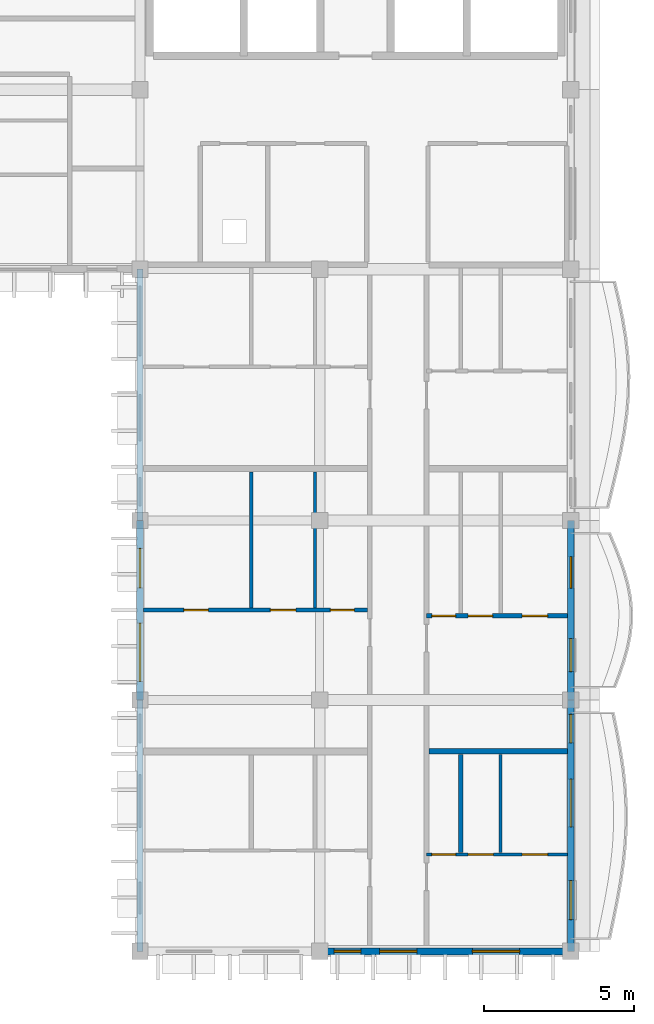
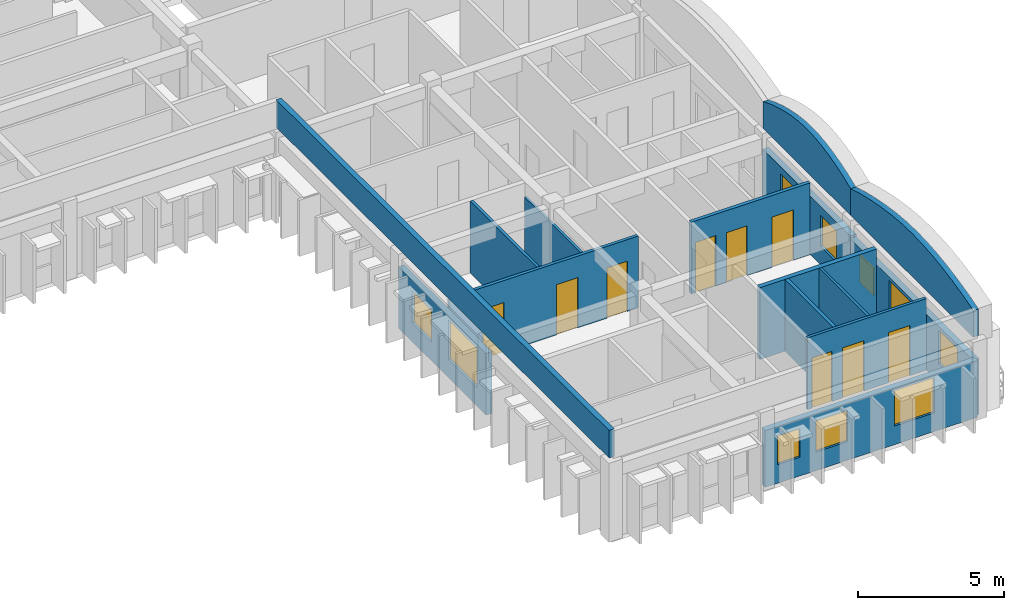
# One storey, part 14 of 28: 15 walls, 11 doors, 8 windows, 19 openings.
"""IFC4 building model written with IfcOpenShell, lengths in metres."""

from ifc_helpers import new_model, si_unit, direction, frame, frame_2d, origin, place, context, subcontext, project, spatial, polyline, rectangle, outline, extrude, material, layer, layer_set, type_object, element, fill, save


model = new_model("IFC4")

# Units and contexts
model_context = context("Model", 3, precision=1e-05, world=origin(), true_north=direction((0.0, 1.0)))
body_context = subcontext(model_context, "Body", "Model", "MODEL_VIEW")
ifc_project = project(units=[si_unit("LENGTHUNIT", "METRE"), si_unit("AREAUNIT", "SQUARE_METRE"), si_unit("VOLUMEUNIT", "CUBIC_METRE"), si_unit("PLANEANGLEUNIT", "RADIAN"), si_unit("MASSUNIT", "GRAM", prefix="KILO"), si_unit("THERMODYNAMICTEMPERATUREUNIT", "KELVIN")], contexts=[model_context])

# Site, building, storey
site_placement = place(None, origin())
site = spatial("IfcSite", under=ifc_project, at=site_placement, CompositionType="ELEMENT")
building_placement = place(site_placement, origin())
building = spatial("IfcBuilding", under=site, at=building_placement, Name="Thalorik Housing Commons", CompositionType="ELEMENT")
storey_placement = place(building_placement, frame((0.0, 0.0, 41.10009765625)))
storey = spatial("IfcBuildingStorey", under=building, at=storey_placement, Name="L12", CompositionType="ELEMENT", Elevation=41.10009765625)

# Wall, openings, windows
ifc_material_1 = material(Name="White precast concrete C40/50", Category="concrete")
ifc_layer_1 = layer(ifc_material_1, 0.235107421875, Name="White precast concrete C40/50", Category="concrete")
ifc_layer_set_1 = layer_set([ifc_layer_1], Name="White precast concrete C40/50")
wall_type_1 = type_object("IfcWallType", Name="ARC-WAL-EXT-235", PredefinedType="STANDARD", material=ifc_layer_set_1)
wall_1_placement = place(storey_placement, frame((152.39990234375, 100.800048828125, 0.0), z_axis=(0.0, 0.0, 1.0), x_axis=(0.0, -1.0, 0.0)))
wall_1 = element("IfcWall", 1, at=wall_1_placement, inside=storey, type_object=wall_type_1, Name="L12 Exterior Wall WAL-EXT-L12-B-0814", PredefinedType="STANDARD", context=body_context, shape_type="SweptSolid", body=[
    extrude(rectangle(XDim=6.0, YDim=0.235107421875, at=frame_2d((3.0, 0.0))), origin(), (0.0, 0.0, 1.0), 2.574951171875),
])
opening_1_placement = place(wall_1_placement, frame((0.9326171875, 0.0, 0.780029296875)))
opening_1 = element("IfcOpeningElement", 2, at=opening_1_placement, cuts=wall_1, Name="Opening W-48", PredefinedType="OPENING", context=body_context, shape_type="SweptSolid", body=[
    extrude(rectangle(XDim=1.320068359375, YDim=1.35009765625, at=frame_2d((0.66015625, 0.675048828125))), frame((0.0, 0.12744140625, 0.0), z_axis=(0.0, -1.0, 0.0), x_axis=(1.0, 0.0, 0.0)), (0.0, 0.0, 1.0), 0.255126953125),
])
opening_2_placement = place(wall_1_placement, frame((3.427490234375, 0.0, 0.780029296875)))
opening_2 = element("IfcOpeningElement", 3, at=opening_2_placement, cuts=wall_1, Name="Opening W-22", PredefinedType="OPENING", context=body_context, shape_type="SweptSolid", body=[
    extrude(rectangle(XDim=1.949951171875, YDim=1.64990234375, at=frame_2d((0.97509765625, 0.824951171875))), frame((0.0, 0.12744140625, 0.0), z_axis=(0.0, -1.0, 0.0), x_axis=(1.0, 0.0, 0.0)), (0.0, 0.0, 1.0), 0.255126953125),
])
ifc_material_2 = material(Name="Anodised aluminium and solar-control low-E glass", Category="aluminium")
window_type_1 = type_object("IfcWindowType", Name="ARC-WIN-22", PartitioningType="DOUBLE_PANEL_VERTICAL", PredefinedType="WINDOW", material=ifc_material_2)
window_1_placement = place(opening_2_placement, origin())
window_1 = element("IfcWindow", 4, at=window_1_placement, inside=storey, type_object=window_type_1, Name="L12 Facade Window 1505", OverallHeight=1.64990234375, OverallWidth=1.949951171875, PartitioningType="DOUBLE_PANEL_VERTICAL", PredefinedType="WINDOW", context=body_context, shape_type="SweptSolid", body=[
    extrude(rectangle(XDim=1.949951171875, YDim=1.64990234375, at=frame_2d((0.97509765625, 0.824951171875))), frame((0.0, 0.030029296875, 0.0), z_axis=(0.0, -1.0, 0.0), x_axis=(1.0, 0.0, 0.0)), (0.0, 0.0, 1.0), 0.06005859375),
])
fill(opening_2, window_1)
window_type_2 = type_object("IfcWindowType", Name="ARC-WIN-48", PartitioningType="SINGLE_PANEL", PredefinedType="WINDOW", material=ifc_material_2)
window_2_placement = place(opening_1_placement, origin())
window_2 = element("IfcWindow", 5, at=window_2_placement, inside=storey, type_object=window_type_2, Name="L12 Facade Window 1504", OverallHeight=1.35009765625, OverallWidth=1.320068359375, PartitioningType="SINGLE_PANEL", PredefinedType="WINDOW", context=body_context, shape_type="SweptSolid", body=[
    extrude(rectangle(XDim=1.320068359375, YDim=1.35009765625, at=frame_2d((0.66015625, 0.675048828125))), frame((0.0, 0.030029296875, 0.0), z_axis=(0.0, -1.0, 0.0), x_axis=(1.0, 0.0, 0.0)), (0.0, 0.0, 1.0), 0.06005859375),
])
fill(opening_1, window_2)

wall_2_placement = place(storey_placement, frame((158.39990234375, 86.39990234375, 0.0), z_axis=(0.0, 0.0, 1.0), x_axis=(1.0, 0.0, 0.0)))
wall_2 = element("IfcWall", 6, at=wall_2_placement, inside=storey, type_object=wall_type_1, Name="L12 Exterior Wall WAL-EXT-L12-B-0817", PredefinedType="STANDARD", context=body_context, shape_type="SweptSolid", body=[
    extrude(rectangle(XDim=8.400146484375, YDim=0.235107421875, at=frame_2d((4.2001953125, 0.0))), origin(), (0.0, 0.0, 1.0), 2.375),
])
opening_3_placement = place(wall_2_placement, frame((0.485107421875, 0.0, 0.780029296875)))
opening_3 = element("IfcOpeningElement", 7, at=opening_3_placement, cuts=wall_2, Name="Opening W-01", PredefinedType="OPENING", context=body_context, shape_type="SweptSolid", body=[
    extrude(rectangle(XDim=0.89990234375, YDim=1.199951171875, at=frame_2d((0.449951171875, 0.60009765625))), frame((0.0, 0.12744140625, 0.0), z_axis=(0.0, -1.0, 0.0), x_axis=(1.0, 0.0, 0.0)), (0.0, 0.0, 1.0), 0.255126953125),
])
opening_4_placement = place(wall_2_placement, frame((2.0048828125, 0.0, 0.780029296875)))
opening_4 = element("IfcOpeningElement", 8, at=opening_4_placement, cuts=wall_2, Name="Opening W-46", PredefinedType="OPENING", context=body_context, shape_type="SweptSolid", body=[
    extrude(rectangle(XDim=1.25, YDim=1.300048828125, at=frame_2d((0.625, 0.64990234375))), frame((0.0, 0.12744140625, 0.0), z_axis=(0.0, -1.0, 0.0), x_axis=(1.0, 0.0, 0.0)), (0.0, 0.0, 1.0), 0.255126953125),
])
opening_5_placement = place(wall_2_placement, frame((5.10498046875, 0.0, 0.780029296875)))
opening_5 = element("IfcOpeningElement", 9, at=opening_5_placement, cuts=wall_2, Name="Opening W-53", PredefinedType="OPENING", context=body_context, shape_type="SweptSolid", body=[
    extrude(rectangle(XDim=1.580078125, YDim=1.47998046875, at=frame_2d((0.7900390625, 0.739990234375))), frame((0.0, 0.12744140625, 0.0), z_axis=(0.0, -1.0, 0.0), x_axis=(1.0, 0.0, 0.0)), (0.0, 0.0, 1.0), 0.255126953125),
])
window_type_3 = type_object("IfcWindowType", Name="ARC-WIN-01", PartitioningType="SINGLE_PANEL", PredefinedType="WINDOW", material=ifc_material_2)
window_3_placement = place(opening_3_placement, origin())
window_3 = element("IfcWindow", 10, at=window_3_placement, inside=storey, type_object=window_type_3, Name="L12 Facade Window 1511", OverallHeight=1.199951171875, OverallWidth=0.89990234375, PartitioningType="SINGLE_PANEL", PredefinedType="WINDOW", context=body_context, shape_type="SweptSolid", body=[
    extrude(rectangle(XDim=0.89990234375, YDim=1.199951171875, at=frame_2d((0.449951171875, 0.60009765625))), frame((0.0, 0.030029296875, 0.0), z_axis=(0.0, -1.0, 0.0), x_axis=(1.0, 0.0, 0.0)), (0.0, 0.0, 1.0), 0.06005859375),
])
fill(opening_3, window_3)
window_type_4 = type_object("IfcWindowType", Name="ARC-WIN-46", PartitioningType="SINGLE_PANEL", PredefinedType="WINDOW", material=ifc_material_2)
window_4_placement = place(opening_4_placement, origin())
window_4 = element("IfcWindow", 11, at=window_4_placement, inside=storey, type_object=window_type_4, Name="L12 Facade Window 1512", OverallHeight=1.300048828125, OverallWidth=1.25, PartitioningType="SINGLE_PANEL", PredefinedType="WINDOW", context=body_context, shape_type="SweptSolid", body=[
    extrude(rectangle(XDim=1.25, YDim=1.300048828125, at=frame_2d((0.625, 0.64990234375))), frame((0.0, 0.030029296875, 0.0), z_axis=(0.0, -1.0, 0.0), x_axis=(1.0, 0.0, 0.0)), (0.0, 0.0, 1.0), 0.06005859375),
])
fill(opening_4, window_4)
window_type_5 = type_object("IfcWindowType", Name="ARC-WIN-53", PartitioningType="SINGLE_PANEL", PredefinedType="WINDOW", material=ifc_material_2)
window_5_placement = place(opening_5_placement, origin())
window_5 = element("IfcWindow", 12, at=window_5_placement, inside=storey, type_object=window_type_5, Name="L12 Facade Window 1513", OverallHeight=1.47998046875, OverallWidth=1.580078125, PartitioningType="SINGLE_PANEL", PredefinedType="WINDOW", context=body_context, shape_type="SweptSolid", body=[
    extrude(rectangle(XDim=1.580078125, YDim=1.47998046875, at=frame_2d((0.7900390625, 0.739990234375))), frame((0.0, 0.030029296875, 0.0), z_axis=(0.0, -1.0, 0.0), x_axis=(1.0, 0.0, 0.0)), (0.0, 0.0, 1.0), 0.06005859375),
])
fill(opening_5, window_5)

# Wall, openings, door, windows
wall_3_placement = place(storey_placement, frame((166.800048828125, 86.39990234375, 0.0), z_axis=(0.0, 0.0, 1.0), x_axis=(0.0, 1.0, 0.0)))
wall_3 = element("IfcWall", 13, at=wall_3_placement, inside=storey, type_object=wall_type_1, Name="L12 Exterior Wall WAL-EXT-L12-B-0818", PredefinedType="STANDARD", context=body_context, shape_type="SweptSolid", body=[
    extrude(rectangle(XDim=8.400146484375, YDim=0.235107421875, at=frame_2d((4.2001953125, 0.0))), origin(), (0.0, 0.0, 1.0), 2.344970703125),
])
opening_6_placement = place(wall_3_placement, frame((4.15869140625, 0.0, 0.0)))
opening_6 = element("IfcOpeningElement", 14, at=opening_6_placement, cuts=wall_3, Name="Opening ED-0278", PredefinedType="OPENING", context=body_context, shape_type="SweptSolid", body=[
    extrude(rectangle(XDim=1.60009765625, YDim=2.199951171875, at=frame_2d((0.800048828125, 1.10009765625))), frame((0.0, 0.12744140625, 0.0), z_axis=(0.0, -1.0, 0.0), x_axis=(1.0, 0.0, 0.0)), (0.0, 0.0, 1.0), 0.255126953125),
])
opening_7_placement = place(wall_3_placement, frame((1.063720703125, 0.0, 0.780029296875)))
opening_7 = element("IfcOpeningElement", 15, at=opening_7_placement, cuts=wall_3, Name="Opening W-06", PredefinedType="OPENING", context=body_context, shape_type="SweptSolid", body=[
    extrude(rectangle(XDim=1.300048828125, YDim=1.39990234375, at=frame_2d((0.64990234375, 0.699951171875))), frame((0.0, 0.12744140625, 0.0), z_axis=(0.0, -1.0, 0.0), x_axis=(1.0, 0.0, 0.0)), (0.0, 0.0, 1.0), 0.255126953125),
])
opening_8_placement = place(wall_3_placement, frame((6.969970703125, 0.0, 0.780029296875)))
opening_8 = element("IfcOpeningElement", 16, at=opening_8_placement, cuts=wall_3, Name="Opening W-43", PredefinedType="OPENING", context=body_context, shape_type="SweptSolid", body=[
    extrude(rectangle(XDim=0.949951171875, YDim=1.14990234375, at=frame_2d((0.47509765625, 0.574951171875))), frame((0.0, 0.12744140625, 0.0), z_axis=(0.0, -1.0, 0.0), x_axis=(1.0, 0.0, 0.0)), (0.0, 0.0, 1.0), 0.255126953125),
])
ifc_material_3 = material(Name="Anodised aluminium and laminated safety glass", Category="aluminium")
door_type_1 = type_object("IfcDoorType", Name="ARC-DR-BAL-1600", OperationType="NOTDEFINED", PredefinedType="DOOR", material=ifc_material_3)
door_1_placement = place(opening_6_placement, frame((1.60009765625, 0.0, 0.0), z_axis=(0.0, 0.0, 1.0), x_axis=(-1.0, 0.0, 0.0)))
door_1 = element("IfcDoor", 17, at=door_1_placement, inside=storey, type_object=door_type_1, Name="L12 Block B Balcony Glazed Door", OperationType="SLIDING_TO_LEFT", OverallHeight=2.199951171875, OverallWidth=1.60009765625, PredefinedType="DOOR", context=body_context, shape_type="SweptSolid", body=[
    extrude(rectangle(XDim=1.60009765625, YDim=2.199951171875, at=frame_2d((0.800048828125, 1.10009765625))), frame((0.0, 0.02490234375, 0.0), z_axis=(0.0, -1.0, 0.0), x_axis=(1.0, 0.0, 0.0)), (0.0, 0.0, 1.0), 0.050048828125),
])
fill(opening_6, door_1)
window_type_6 = type_object("IfcWindowType", Name="ARC-WIN-06", PartitioningType="SINGLE_PANEL", PredefinedType="WINDOW", material=ifc_material_2)
window_6_placement = place(opening_7_placement, origin())
window_6 = element("IfcWindow", 18, at=window_6_placement, inside=storey, type_object=window_type_6, Name="L12 Facade Window 1514", OverallHeight=1.39990234375, OverallWidth=1.300048828125, PartitioningType="SINGLE_PANEL", PredefinedType="WINDOW", context=body_context, shape_type="SweptSolid", body=[
    extrude(rectangle(XDim=1.300048828125, YDim=1.39990234375, at=frame_2d((0.64990234375, 0.699951171875))), frame((0.0, 0.030029296875, 0.0), z_axis=(0.0, -1.0, 0.0), x_axis=(1.0, 0.0, 0.0)), (0.0, 0.0, 1.0), 0.06005859375),
])
fill(opening_7, window_6)
window_type_7 = type_object("IfcWindowType", Name="ARC-WIN-43", PartitioningType="SINGLE_PANEL", PredefinedType="WINDOW", material=ifc_material_2)
window_7_placement = place(opening_8_placement, origin())
window_7 = element("IfcWindow", 19, at=window_7_placement, inside=storey, type_object=window_type_7, Name="L12 Facade Window 1515", OverallHeight=1.14990234375, OverallWidth=0.949951171875, PartitioningType="SINGLE_PANEL", PredefinedType="WINDOW", context=body_context, shape_type="SweptSolid", body=[
    extrude(rectangle(XDim=0.949951171875, YDim=1.14990234375, at=frame_2d((0.47509765625, 0.574951171875))), frame((0.0, 0.030029296875, 0.0), z_axis=(0.0, -1.0, 0.0), x_axis=(1.0, 0.0, 0.0)), (0.0, 0.0, 1.0), 0.06005859375),
])
fill(opening_8, window_7)

# Wall, openings, door, window
wall_4_placement = place(storey_placement, frame((166.800048828125, 94.800048828125, 0.0), z_axis=(0.0, 0.0, 1.0), x_axis=(0.0, 1.0, 0.0)))
wall_4 = element("IfcWall", 20, at=wall_4_placement, inside=storey, type_object=wall_type_1, Name="L12 Exterior Wall WAL-EXT-L12-B-0819", PredefinedType="STANDARD", context=body_context, shape_type="SweptSolid", body=[
    extrude(rectangle(XDim=6.0, YDim=0.235107421875, at=frame_2d((3.0, 0.0))), origin(), (0.0, 0.0, 1.0), 2.44482421875),
])
opening_9_placement = place(wall_4_placement, frame((3.738037109375, 0.0, 0.0)))
opening_9 = element("IfcOpeningElement", 21, at=opening_9_placement, cuts=wall_4, Name="Opening ED-0279", PredefinedType="OPENING", context=body_context, shape_type="SweptSolid", body=[
    extrude(rectangle(XDim=1.050048828125, YDim=2.14990234375, at=frame_2d((0.52490234375, 1.074951171875))), frame((0.0, 0.12744140625, 0.0), z_axis=(0.0, -1.0, 0.0), x_axis=(1.0, 0.0, 0.0)), (0.0, 0.0, 1.0), 0.255126953125),
])
opening_10_placement = place(wall_4_placement, frame((0.952880859375, 0.0, 0.780029296875)))
opening_10 = element("IfcOpeningElement", 22, at=opening_10_placement, cuts=wall_4, Name="Opening W-03", PredefinedType="OPENING", context=body_context, shape_type="SweptSolid", body=[
    extrude(rectangle(XDim=1.10009765625, YDim=1.300048828125, at=frame_2d((0.550048828125, 0.64990234375))), frame((0.0, 0.12744140625, 0.0), z_axis=(0.0, -1.0, 0.0), x_axis=(1.0, 0.0, 0.0)), (0.0, 0.0, 1.0), 0.255126953125),
])
door_type_2 = type_object("IfcDoorType", Name="ARC-DR-BAL-1050", OperationType="NOTDEFINED", PredefinedType="DOOR", material=ifc_material_3)
door_2_placement = place(opening_9_placement, frame((1.050048828125, 0.0, 0.0), z_axis=(0.0, 0.0, 1.0), x_axis=(-1.0, 0.0, 0.0)))
door_2 = element("IfcDoor", 23, at=door_2_placement, inside=storey, type_object=door_type_2, Name="L12 Block B Balcony Glazed Door", OperationType="SINGLE_SWING_RIGHT", OverallHeight=2.14990234375, OverallWidth=1.050048828125, PredefinedType="DOOR", context=body_context, shape_type="SweptSolid", body=[
    extrude(rectangle(XDim=1.050048828125, YDim=2.14990234375, at=frame_2d((0.52490234375, 1.074951171875))), frame((0.0, 0.02490234375, 0.0), z_axis=(0.0, -1.0, 0.0), x_axis=(1.0, 0.0, 0.0)), (0.0, 0.0, 1.0), 0.050048828125),
])
fill(opening_9, door_2)
window_type_8 = type_object("IfcWindowType", Name="ARC-WIN-03", PartitioningType="SINGLE_PANEL", PredefinedType="WINDOW", material=ifc_material_2)
window_8_placement = place(opening_10_placement, origin())
window_8 = element("IfcWindow", 24, at=window_8_placement, inside=storey, type_object=window_type_8, Name="L12 Facade Window 1516", OverallHeight=1.300048828125, OverallWidth=1.10009765625, PartitioningType="SINGLE_PANEL", PredefinedType="WINDOW", context=body_context, shape_type="SweptSolid", body=[
    extrude(rectangle(XDim=1.10009765625, YDim=1.300048828125, at=frame_2d((0.550048828125, 0.64990234375))), frame((0.0, 0.030029296875, 0.0), z_axis=(0.0, -1.0, 0.0), x_axis=(1.0, 0.0, 0.0)), (0.0, 0.0, 1.0), 0.06005859375),
])
fill(opening_10, window_8)

# Walls
ifc_layer_2 = layer(ifc_material_1, 0.2099609375, Name="White precast concrete C40/50", Category="concrete")
ifc_layer_set_2 = layer_set([ifc_layer_2], Name="White precast concrete C40/50")
wall_type_2 = type_object("IfcWallType", Name="ARC-WAL-PAR-210", PredefinedType="PARAPET", material=ifc_layer_set_2)
wall_5_placement = place(storey_placement, frame((152.39990234375, 109.199951171875, 3.2998046875), z_axis=(0.0, 0.0, 1.0), x_axis=(0.0, -1.0, 0.0)))
element("IfcWall", 25, at=wall_5_placement, inside=storey, type_object=wall_type_2, Name="L12 Block B Roof Parapet 26", PredefinedType="PARAPET", context=body_context, shape_type="SweptSolid", body=[
    extrude(rectangle(XDim=22.800048828125, YDim=0.2099609375, at=frame_2d((11.39990234375, 0.0))), origin(), (0.0, 0.0, 1.0), 1.150146484375),
])
wall_6_placement = place(storey_placement, frame((166.800048828125, 86.39990234375, 3.2998046875), z_axis=(0.0, 0.0, 1.0), x_axis=(0.0, 1.0, 0.0)))
element("IfcWall", 26, at=wall_6_placement, inside=storey, type_object=wall_type_2, Name="L12 Block B Scalloped Arched Roof Parapet 28", PredefinedType="PARAPET", context=body_context, shape_type="SweptSolid", body=[
    extrude(outline(polyline([(0.0, 0.0), (8.400146484375, 0.0), (8.39990234375, 1.1201171875), (7.699951171875, 1.321533203125), (7.0, 1.484619140625), (6.300048828125, 1.617919921875), (5.60009765625, 1.717529296875), (4.89990234375, 1.779296875), (4.199951171875, 1.800048828125), (3.5, 1.779296875), (2.800048828125, 1.717529296875), (2.10009765625, 1.617919921875), (1.39990234375, 1.484619140625), (0.699951171875, 1.321533203125), (0.0, 1.1201171875), (0.0, 0.0)])), frame((0.0, 0.10498046875, 0.0), z_axis=(0.0, -1.0, 0.0), x_axis=(1.0, 0.0, 0.0)), (0.0, 0.0, 1.0), 0.2099609375),
])
wall_7_placement = place(storey_placement, frame((166.800048828125, 94.800048828125, 3.2998046875), z_axis=(0.0, 0.0, 1.0), x_axis=(0.0, 1.0, 0.0)))
element("IfcWall", 27, at=wall_7_placement, inside=storey, type_object=wall_type_2, Name="L12 Block B Scalloped Arched Roof Parapet 29", PredefinedType="PARAPET", context=body_context, shape_type="SweptSolid", body=[
    extrude(outline(polyline([(0.0, 0.0), (6.0, 0.0), (6.0, 1.1201171875), (5.5, 1.321533203125), (5.0, 1.484619140625), (4.5, 1.617919921875), (4.0, 1.717529296875), (3.5, 1.779296875), (3.0, 1.800048828125), (2.5, 1.779296875), (2.0, 1.717529296875), (1.5, 1.617919921875), (1.0, 1.484619140625), (0.5, 1.321533203125), (0.0, 1.1201171875), (0.0, 0.0)])), frame((0.0, 0.10498046875, 0.0), z_axis=(0.0, -1.0, 0.0), x_axis=(1.0, 0.0, 0.0)), (0.0, 0.0, 1.0), 0.2099609375),
])
ifc_material_4 = material(Name="Gypsum light stud partition", Category="masonry")
ifc_layer_3 = layer(ifc_material_4, 0.10009765625, Name="Gypsum light stud partition", Category="masonry")
ifc_layer_set_3 = layer_set([ifc_layer_3], Name="Gypsum light stud partition")
wall_type_3 = type_object("IfcWallType", Name="ARC-WAL-PART-100", PredefinedType="PARTITIONING", material=ifc_layer_set_3)
wall_8_placement = place(storey_placement, frame((164.455078125, 89.697021484375, 0.0), z_axis=(0.0, 0.0, 1.0), x_axis=(0.0, 1.0, 0.0)))
element("IfcWall", 28, at=wall_8_placement, inside=storey, type_object=wall_type_3, Name="L12 Unit 1B Bedroom Partition", PredefinedType="PARTITIONING", context=body_context, shape_type="SweptSolid", body=[
    extrude(rectangle(XDim=3.28857421875, YDim=0.10009765625, at=frame_2d((1.644287109375, 0.0))), origin(), (0.0, 0.0, 1.0), 3.0),
])
wall_9_placement = place(storey_placement, frame((158.251220703125, 97.869384765625, 0.0), z_axis=(0.0, 0.0, 1.0), x_axis=(0.0, 1.0, 0.0)))
element("IfcWall", 29, at=wall_9_placement, inside=storey, type_object=wall_type_3, Name="L12 Unit 2 Wet Wall", PredefinedType="PARTITIONING", context=body_context, shape_type="SweptSolid", body=[
    extrude(rectangle(XDim=4.55859375, YDim=0.10009765625, at=frame_2d((2.279296875, 0.0))), origin(), (0.0, 0.0, 1.0), 2.4248046875),
])

# Wall, openings, doors
ifc_material_5 = material(Name="Gypsum moisture-resistant partition", Category="masonry")
ifc_layer_4 = layer(ifc_material_5, 0.114990234375, Name="Gypsum moisture-resistant partition", Category="masonry")
ifc_layer_set_4 = layer_set([ifc_layer_4], Name="Gypsum moisture-resistant partition")
wall_type_4 = type_object("IfcWallType", Name="ARC-WAL-PART-115", PredefinedType="PARTITIONING", material=ifc_layer_set_4)
wall_10_placement = place(storey_placement, frame((161.97998046875, 89.6376953125, 0.0), z_axis=(0.0, 0.0, 1.0), x_axis=(1.0, 0.0, 0.0)))
wall_10 = element("IfcWall", 30, at=wall_10_placement, inside=storey, type_object=wall_type_4, Name="L12 Unit 1B Spine Partition", PredefinedType="PARTITIONING", context=body_context, shape_type="SweptSolid", body=[
    extrude(rectangle(XDim=4.700439453125, YDim=0.114990234375, at=frame_2d((2.35009765625, 0.0))), origin(), (0.0, 0.0, 1.0), 3.0),
])
opening_11_placement = place(wall_10_placement, frame((0.171142578125, 0.0, 0.0)))
opening_11 = element("IfcOpeningElement", 31, at=opening_11_placement, cuts=wall_10, Name="Opening ID-1553", PredefinedType="OPENING", context=body_context, shape_type="SweptSolid", body=[
    extrude(rectangle(XDim=0.800048828125, YDim=2.10009765625, at=frame_2d((0.39990234375, 1.050048828125))), frame((0.0, 0.0673828125, 0.0), z_axis=(0.0, -1.0, 0.0), x_axis=(1.0, 0.0, 0.0)), (0.0, 0.0, 1.0), 0.135009765625),
])
opening_12_placement = place(wall_10_placement, frame((1.3837890625, 0.0, 0.0)))
opening_12 = element("IfcOpeningElement", 32, at=opening_12_placement, cuts=wall_10, Name="Opening ID-1554", PredefinedType="OPENING", context=body_context, shape_type="SweptSolid", body=[
    extrude(rectangle(XDim=0.85009765625, YDim=2.10009765625, at=frame_2d((0.425048828125, 1.050048828125))), frame((0.0, 0.0673828125, 0.0), z_axis=(0.0, -1.0, 0.0), x_axis=(1.0, 0.0, 0.0)), (0.0, 0.0, 1.0), 0.135009765625),
])
opening_13_placement = place(wall_10_placement, frame((3.192626953125, 0.0, 0.0)))
opening_13 = element("IfcOpeningElement", 33, at=opening_13_placement, cuts=wall_10, Name="Opening ID-1555", PredefinedType="OPENING", context=body_context, shape_type="SweptSolid", body=[
    extrude(rectangle(XDim=0.85009765625, YDim=2.10009765625, at=frame_2d((0.425048828125, 1.050048828125))), frame((0.0, 0.0673828125, 0.0), z_axis=(0.0, -1.0, 0.0), x_axis=(1.0, 0.0, 0.0)), (0.0, 0.0, 1.0), 0.135009765625),
])
ifc_material_6 = material(Name="Moisture-resistant timber", Category="wood")
door_type_3 = type_object("IfcDoorType", Name="ARC-DR-INT-800", OperationType="NOTDEFINED", PredefinedType="DOOR", material=ifc_material_6)
door_3_placement = place(opening_11_placement, origin())
door_3 = element("IfcDoor", 34, at=door_3_placement, inside=storey, type_object=door_type_3, Name="L12 Flat Bathroom Door", OperationType="SINGLE_SWING_RIGHT", OverallHeight=2.10009765625, OverallWidth=0.800048828125, PredefinedType="DOOR", context=body_context, shape_type="SweptSolid", body=[
    extrude(rectangle(XDim=0.800048828125, YDim=2.10009765625, at=frame_2d((0.39990234375, 1.050048828125))), frame((0.0, 0.02490234375, 0.0), z_axis=(0.0, -1.0, 0.0), x_axis=(1.0, 0.0, 0.0)), (0.0, 0.0, 1.0), 0.050048828125),
])
fill(opening_11, door_3)
ifc_material_7 = material(Name="Engineered oak timber", Category="wood")
door_type_4 = type_object("IfcDoorType", Name="ARC-DR-INT-850", OperationType="NOTDEFINED", PredefinedType="DOOR", material=ifc_material_7)
door_4_placement = place(opening_12_placement, origin())
door_4 = element("IfcDoor", 35, at=door_4_placement, inside=storey, type_object=door_type_4, Name="L12 Eat-In Kitchen Door", OperationType="SINGLE_SWING_LEFT", OverallHeight=2.10009765625, OverallWidth=0.85009765625, PredefinedType="DOOR", context=body_context, shape_type="SweptSolid", body=[
    extrude(rectangle(XDim=0.85009765625, YDim=2.10009765625, at=frame_2d((0.425048828125, 1.050048828125))), frame((0.0, 0.02490234375, 0.0), z_axis=(0.0, -1.0, 0.0), x_axis=(1.0, 0.0, 0.0)), (0.0, 0.0, 1.0), 0.050048828125),
])
fill(opening_12, door_4)
door_5_placement = place(opening_13_placement, origin())
door_5 = element("IfcDoor", 36, at=door_5_placement, inside=storey, type_object=door_type_4, Name="L12 Master Bedroom Door", OperationType="SINGLE_SWING_RIGHT", OverallHeight=2.10009765625, OverallWidth=0.85009765625, PredefinedType="DOOR", context=body_context, shape_type="SweptSolid", body=[
    extrude(rectangle(XDim=0.85009765625, YDim=2.10009765625, at=frame_2d((0.425048828125, 1.050048828125))), frame((0.0, 0.02490234375, 0.0), z_axis=(0.0, -1.0, 0.0), x_axis=(1.0, 0.0, 0.0)), (0.0, 0.0, 1.0), 0.050048828125),
])
fill(opening_13, door_5)

# Wall
wall_11_placement = place(storey_placement, frame((156.11767578125, 97.869384765625, 0.0), z_axis=(0.0, 0.0, 1.0), x_axis=(0.0, 1.0, 0.0)))
element("IfcWall", 37, at=wall_11_placement, inside=storey, type_object=wall_type_4, Name="L12 Unit 2 Bedroom Partition", PredefinedType="PARTITIONING", context=body_context, shape_type="SweptSolid", body=[
    extrude(rectangle(XDim=4.55859375, YDim=0.114990234375, at=frame_2d((2.279296875, 0.0))), origin(), (0.0, 0.0, 1.0), 3.0),
])

# Wall, openings, doors
ifc_material_8 = material(Name="Gypsum acoustic stud partition", Category="masonry")
ifc_layer_5 = layer(ifc_material_8, 0.125, Name="Gypsum acoustic stud partition", Category="masonry")
ifc_layer_set_5 = layer_set([ifc_layer_5], Name="Gypsum acoustic stud partition")
wall_type_5 = type_object("IfcWallType", Name="ARC-WAL-PART-125", PredefinedType="PARTITIONING", material=ifc_layer_set_5)
wall_12_placement = place(storey_placement, frame((152.51953125, 97.804931640625, 0.0), z_axis=(0.0, 0.0, 1.0), x_axis=(1.0, 0.0, 0.0)))
wall_12 = element("IfcWall", 38, at=wall_12_placement, inside=storey, type_object=wall_type_5, Name="L12 Unit 2 Spine Partition", PredefinedType="PARTITIONING", context=body_context, shape_type="SweptSolid", body=[
    extrude(rectangle(XDim=7.4833984375, YDim=0.125, at=frame_2d((3.74169921875, 0.0))), origin(), (0.0, 0.0, 1.0), 3.0),
])
opening_14_placement = place(wall_12_placement, frame((1.34423828125, 0.0, 0.0)))
opening_14 = element("IfcOpeningElement", 39, at=opening_14_placement, cuts=wall_12, Name="Opening ID-1556", PredefinedType="OPENING", context=body_context, shape_type="SweptSolid", body=[
    extrude(rectangle(XDim=0.820068359375, YDim=2.080078125, at=frame_2d((0.41015625, 1.0400390625))), frame((0.0, 0.072509765625, 0.0), z_axis=(0.0, -1.0, 0.0), x_axis=(1.0, 0.0, 0.0)), (0.0, 0.0, 1.0), 0.14501953125),
])
opening_15_placement = place(wall_12_placement, frame((4.239990234375, 0.0, 0.0)))
opening_15 = element("IfcOpeningElement", 40, at=opening_15_placement, cuts=wall_12, Name="Opening ID-1557", PredefinedType="OPENING", context=body_context, shape_type="SweptSolid", body=[
    extrude(rectangle(XDim=0.85009765625, YDim=2.10009765625, at=frame_2d((0.425048828125, 1.050048828125))), frame((0.0, 0.072509765625, 0.0), z_axis=(0.0, -1.0, 0.0), x_axis=(1.0, 0.0, 0.0)), (0.0, 0.0, 1.0), 0.14501953125),
])
opening_16_placement = place(wall_12_placement, frame((6.24609375, 0.0, 0.0)))
opening_16 = element("IfcOpeningElement", 41, at=opening_16_placement, cuts=wall_12, Name="Opening ID-1558", PredefinedType="OPENING", context=body_context, shape_type="SweptSolid", body=[
    extrude(rectangle(XDim=0.800048828125, YDim=2.10009765625, at=frame_2d((0.39990234375, 1.050048828125))), frame((0.0, 0.072509765625, 0.0), z_axis=(0.0, -1.0, 0.0), x_axis=(1.0, 0.0, 0.0)), (0.0, 0.0, 1.0), 0.14501953125),
])
door_6_placement = place(opening_16_placement, origin())
door_6 = element("IfcDoor", 42, at=door_6_placement, inside=storey, type_object=door_type_3, Name="L12 Flat Bathroom Door", OperationType="SINGLE_SWING_LEFT", OverallHeight=2.10009765625, OverallWidth=0.800048828125, PredefinedType="DOOR", context=body_context, shape_type="SweptSolid", body=[
    extrude(rectangle(XDim=0.800048828125, YDim=2.10009765625, at=frame_2d((0.39990234375, 1.050048828125))), frame((0.0, 0.02490234375, 0.0), z_axis=(0.0, -1.0, 0.0), x_axis=(1.0, 0.0, 0.0)), (0.0, 0.0, 1.0), 0.050048828125),
])
fill(opening_16, door_6)
door_type_5 = type_object("IfcDoorType", Name="ARC-DR-INT-820", OperationType="NOTDEFINED", PredefinedType="DOOR", material=ifc_material_7)
door_7_placement = place(opening_14_placement, origin())
door_7 = element("IfcDoor", 43, at=door_7_placement, inside=storey, type_object=door_type_5, Name="L12 Double Bedroom Door", OperationType="SINGLE_SWING_LEFT", OverallHeight=2.080078125, OverallWidth=0.820068359375, PredefinedType="DOOR", context=body_context, shape_type="SweptSolid", body=[
    extrude(rectangle(XDim=0.820068359375, YDim=2.080078125, at=frame_2d((0.41015625, 1.0400390625))), frame((0.0, 0.02490234375, 0.0), z_axis=(0.0, -1.0, 0.0), x_axis=(1.0, 0.0, 0.0)), (0.0, 0.0, 1.0), 0.050048828125),
])
fill(opening_14, door_7)
door_8_placement = place(opening_15_placement, origin())
door_8 = element("IfcDoor", 44, at=door_8_placement, inside=storey, type_object=door_type_4, Name="L12 Galley Kitchen Door", OperationType="SINGLE_SWING_RIGHT", OverallHeight=2.10009765625, OverallWidth=0.85009765625, PredefinedType="DOOR", context=body_context, shape_type="SweptSolid", body=[
    extrude(rectangle(XDim=0.85009765625, YDim=2.10009765625, at=frame_2d((0.425048828125, 1.050048828125))), frame((0.0, 0.02490234375, 0.0), z_axis=(0.0, -1.0, 0.0), x_axis=(1.0, 0.0, 0.0)), (0.0, 0.0, 1.0), 0.050048828125),
])
fill(opening_15, door_8)

# Wall
ifc_material_9 = material(Name="Ceramic masonry partition wall", Category="masonry")
ifc_layer_6 = layer(ifc_material_9, 0.139892578125, Name="Ceramic masonry partition wall", Category="masonry")
ifc_layer_set_6 = layer_set([ifc_layer_6], Name="Ceramic masonry partition wall")
wall_type_6 = type_object("IfcWallType", Name="ARC-WAL-PART-140", PredefinedType="PARTITIONING", material=ifc_layer_set_6)
wall_13_placement = place(storey_placement, frame((163.122314453125, 89.697021484375, 0.0), z_axis=(0.0, 0.0, 1.0), x_axis=(0.0, 1.0, 0.0)))
element("IfcWall", 45, at=wall_13_placement, inside=storey, type_object=wall_type_6, Name="L12 Unit 1B Wet Wall", PredefinedType="PARTITIONING", context=body_context, shape_type="SweptSolid", body=[
    extrude(rectangle(XDim=3.28857421875, YDim=0.139892578125, at=frame_2d((1.644287109375, 0.0))), origin(), (0.0, 0.0, 1.0), 3.0),
])

# Wall, openings, doors
wall_14_placement = place(storey_placement, frame((161.97998046875, 97.615966796875, 0.0), z_axis=(0.0, 0.0, 1.0), x_axis=(1.0, 0.0, 0.0)))
wall_14 = element("IfcWall", 46, at=wall_14_placement, inside=storey, type_object=wall_type_6, Name="L12 Unit 2B Spine Partition", PredefinedType="PARTITIONING", context=body_context, shape_type="SweptSolid", body=[
    extrude(rectangle(XDim=4.700439453125, YDim=0.139892578125, at=frame_2d((2.35009765625, 0.0))), origin(), (0.0, 0.0, 1.0), 3.0),
])
opening_17_placement = place(wall_14_placement, frame((0.171142578125, 0.0, 0.0)))
opening_17 = element("IfcOpeningElement", 47, at=opening_17_placement, cuts=wall_14, Name="Opening ID-1559", PredefinedType="OPENING", context=body_context, shape_type="SweptSolid", body=[
    extrude(rectangle(XDim=0.800048828125, YDim=2.10009765625, at=frame_2d((0.39990234375, 1.050048828125))), frame((0.0, 0.080078125, 0.0), z_axis=(0.0, -1.0, 0.0), x_axis=(1.0, 0.0, 0.0)), (0.0, 0.0, 1.0), 0.159912109375),
])
opening_18_placement = place(wall_14_placement, frame((1.3837890625, 0.0, 0.0)))
opening_18 = element("IfcOpeningElement", 48, at=opening_18_placement, cuts=wall_14, Name="Opening ID-1560", PredefinedType="OPENING", context=body_context, shape_type="SweptSolid", body=[
    extrude(rectangle(XDim=0.820068359375, YDim=2.080078125, at=frame_2d((0.41015625, 1.0400390625))), frame((0.0, 0.080078125, 0.0), z_axis=(0.0, -1.0, 0.0), x_axis=(1.0, 0.0, 0.0)), (0.0, 0.0, 1.0), 0.159912109375),
])
opening_19_placement = place(wall_14_placement, frame((3.192626953125, 0.0, 0.0)))
opening_19 = element("IfcOpeningElement", 49, at=opening_19_placement, cuts=wall_14, Name="Opening ID-1561", PredefinedType="OPENING", context=body_context, shape_type="SweptSolid", body=[
    extrude(rectangle(XDim=0.85009765625, YDim=2.10009765625, at=frame_2d((0.425048828125, 1.050048828125))), frame((0.0, 0.080078125, 0.0), z_axis=(0.0, -1.0, 0.0), x_axis=(1.0, 0.0, 0.0)), (0.0, 0.0, 1.0), 0.159912109375),
])
door_9_placement = place(opening_17_placement, origin())
door_9 = element("IfcDoor", 50, at=door_9_placement, inside=storey, type_object=door_type_3, Name="L12 Flat Bathroom Door", OperationType="SINGLE_SWING_RIGHT", OverallHeight=2.10009765625, OverallWidth=0.800048828125, PredefinedType="DOOR", context=body_context, shape_type="SweptSolid", body=[
    extrude(rectangle(XDim=0.800048828125, YDim=2.10009765625, at=frame_2d((0.39990234375, 1.050048828125))), frame((0.0, 0.02490234375, 0.0), z_axis=(0.0, -1.0, 0.0), x_axis=(1.0, 0.0, 0.0)), (0.0, 0.0, 1.0), 0.050048828125),
])
fill(opening_17, door_9)
door_10_placement = place(opening_18_placement, origin())
door_10 = element("IfcDoor", 51, at=door_10_placement, inside=storey, type_object=door_type_5, Name="L12 Galley Kitchen Door", OperationType="SINGLE_SWING_LEFT", OverallHeight=2.080078125, OverallWidth=0.820068359375, PredefinedType="DOOR", context=body_context, shape_type="SweptSolid", body=[
    extrude(rectangle(XDim=0.820068359375, YDim=2.080078125, at=frame_2d((0.41015625, 1.0400390625))), frame((0.0, 0.02490234375, 0.0), z_axis=(0.0, -1.0, 0.0), x_axis=(1.0, 0.0, 0.0)), (0.0, 0.0, 1.0), 0.050048828125),
])
fill(opening_18, door_10)
door_11_placement = place(opening_19_placement, origin())
door_11 = element("IfcDoor", 52, at=door_11_placement, inside=storey, type_object=door_type_4, Name="L12 Single Bedroom Door", OperationType="SINGLE_SWING_RIGHT", OverallHeight=2.10009765625, OverallWidth=0.85009765625, PredefinedType="DOOR", context=body_context, shape_type="SweptSolid", body=[
    extrude(rectangle(XDim=0.85009765625, YDim=2.10009765625, at=frame_2d((0.425048828125, 1.050048828125))), frame((0.0, 0.02490234375, 0.0), z_axis=(0.0, -1.0, 0.0), x_axis=(1.0, 0.0, 0.0)), (0.0, 0.0, 1.0), 0.050048828125),
])
fill(opening_19, door_11)

# Wall
ifc_material_10 = material(Name="Masonry acoustic blockwork wall", Category="masonry")
ifc_layer_7 = layer(ifc_material_10, 0.18505859375, Name="Masonry acoustic blockwork wall", Category="masonry")
ifc_layer_set_7 = layer_set([ifc_layer_7], Name="Masonry acoustic blockwork wall")
wall_type_7 = type_object("IfcWallType", Name="ARC-WAL-PARTY-185", PredefinedType="PARTITIONING", material=ifc_layer_set_7)
wall_15_placement = place(storey_placement, frame((162.064453125, 93.080078125, 0.0), z_axis=(0.0, 0.0, 1.0), x_axis=(1.0, 0.0, 0.0)))
element("IfcWall", 53, at=wall_15_placement, inside=storey, type_object=wall_type_7, Name="L12 Inter-Tenancy Wall 1B", PredefinedType="PARTITIONING", context=body_context, shape_type="SweptSolid", body=[
    extrude(rectangle(XDim=4.615966796875, YDim=0.18505859375, at=frame_2d((2.30810546875, 0.0))), origin(), (0.0, 0.0, 1.0), 3.0),
])

save(model, "model.ifc")
